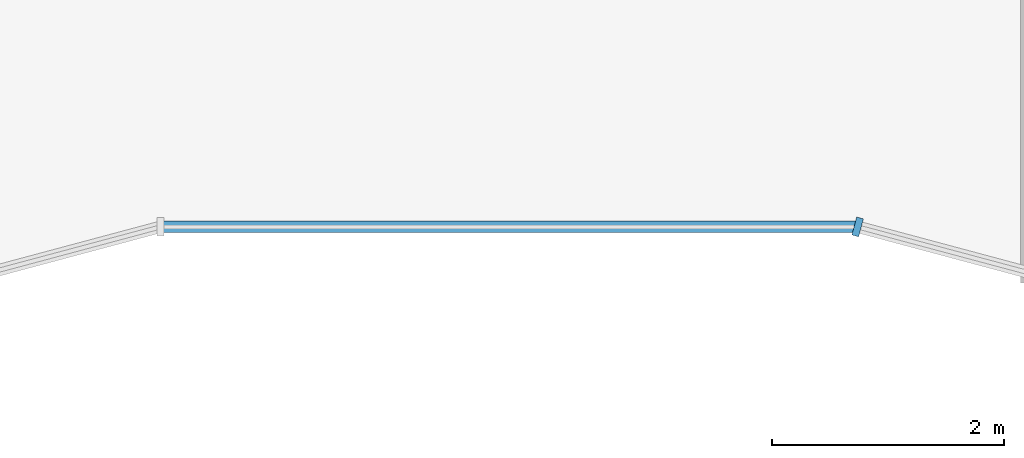
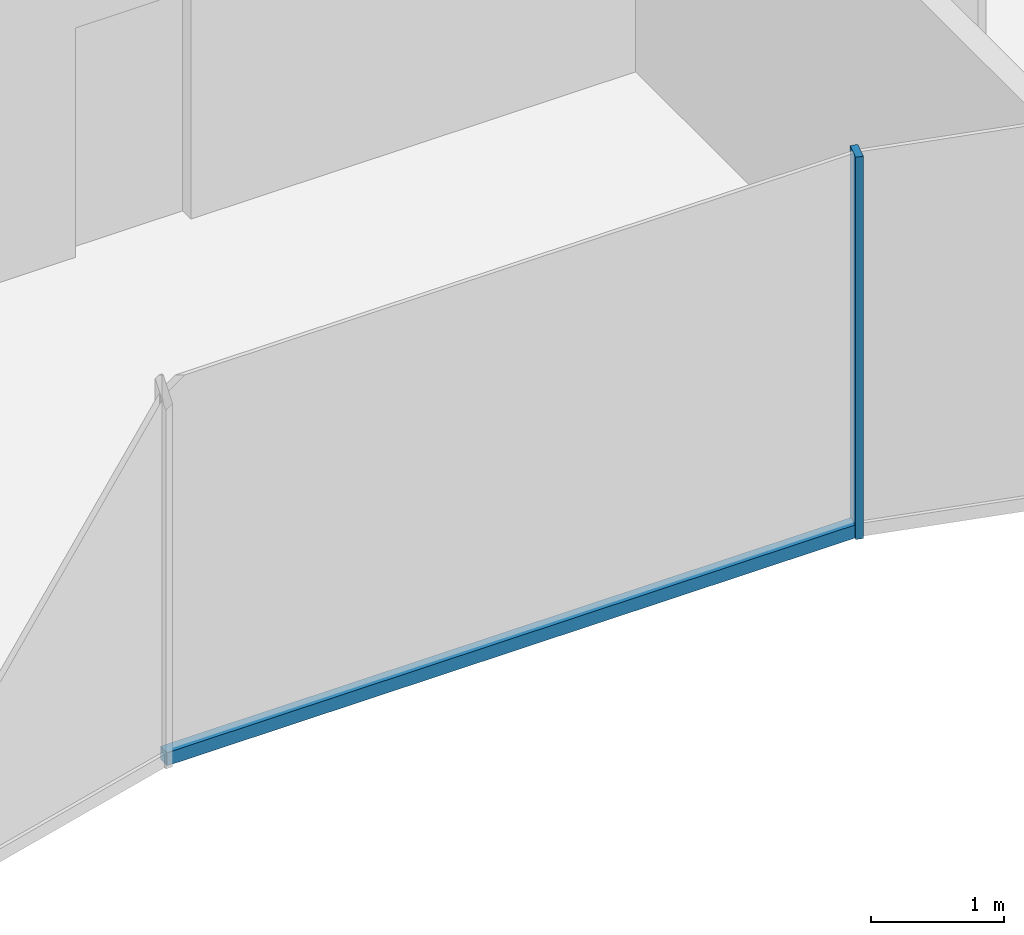
# One storey, part 3 of 15: 2 members, 2 elements without a shape of their own.
"""IFC4 building model written with IfcOpenShell, lengths in metres."""

from ifc_helpers import new_model, si_unit, direction, frame, origin, origin_2d, place, context, subcontext, project, spatial, rectangle, extrude, material, layer, layer_set, material_profile, profile_set, type_object, element, aggregate, save


model = new_model("IFC4")

# Units and contexts
model_context = context("Model", 3, precision=1e-05, world=origin(), true_north=direction((0.0, 1.0)))
body_context = subcontext(model_context, "Body", "Model", "MODEL_VIEW")
ifc_project = project(units=[si_unit("LENGTHUNIT", "METRE"), si_unit("AREAUNIT", "SQUARE_METRE"), si_unit("VOLUMEUNIT", "CUBIC_METRE"), si_unit("PLANEANGLEUNIT", "RADIAN"), si_unit("MASSUNIT", "GRAM", prefix="KILO")], contexts=[model_context])

# Site, building, storey
site_placement = place(None, origin())
site = spatial("IfcSite", under=ifc_project, at=site_placement, CompositionType="ELEMENT")
building_placement = place(site_placement, origin())
building = spatial("IfcBuilding", under=site, at=building_placement, Name="Plateau Cross Towers", CompositionType="ELEMENT")
storey_placement = place(building_placement, frame((0.0, 0.0, 177.89990234375)))
storey = spatial("IfcBuildingStorey", under=building, at=storey_placement, Name="L46", CompositionType="ELEMENT", Elevation=177.89990234375)

# Curtain wall, member
ifc_material_1 = material(Name="Dark low-iron glass", Category="glass")
ifc_layer = layer(ifc_material_1, 0.260009765625)
ifc_layer_set = layer_set([ifc_layer], Name="Dark low-iron glass")
curtain_wall_type = type_object("IfcCurtainWallType", Name="Curtain wall fluted unitised CW-A", PredefinedType="NOTDEFINED", material=ifc_layer_set)
curtain_wall_1_placement = place(storey_placement, origin())
curtain_wall_1 = element("IfcCurtainWall", 1, at=curtain_wall_1_placement, inside=storey, type_object=curtain_wall_type, Name="ENV/A/L46/A300_16", PredefinedType="NOTDEFINED")
ifc_material_2 = material(Name="Black anodised aluminium", Category="aluminium")
ifc_material_profile_1 = material_profile(ifc_material_2, rectangle(XDim=0.06005859375, YDim=0.159912109375, at=origin_2d()), Name="MULLION 60x160")
ifc_profile_set_1 = profile_set([ifc_material_profile_1], Name="Black anodised aluminium")
member_type_1 = type_object("IfcMemberType", Name="Mullion 60x160 fluted unitised", PredefinedType="MULLION", material=ifc_profile_set_1)
member_1_placement = place(storey_placement, frame((30.0, 1.60693359375, -0.25), z_axis=(0.0, 0.0, 1.0), x_axis=(0.965957983404, -0.258699003279, 0.0)))
member_1 = element("IfcMember", 2, at=member_1_placement, type_object=member_type_1, Name="CW-A mullion 1", PredefinedType="MULLION", context=body_context, shape_type="SweptSolid", body=[
    extrude(rectangle(XDim=0.06005859375, YDim=0.159912109375, at=origin_2d()), origin(), (0.0, 0.0, 1.0), 3.5),
])
aggregate(curtain_wall_1, [member_1])

curtain_wall_2_placement = place(storey_placement, origin())
curtain_wall_2 = element("IfcCurtainWall", 3, at=curtain_wall_2_placement, inside=storey, type_object=curtain_wall_type, Name="ENV/A/L46/A240_16", PredefinedType="NOTDEFINED")
ifc_material_profile_2 = material_profile(ifc_material_2, rectangle(XDim=0.10009765625, YDim=0.1201171875, at=origin_2d()), Name="TRANSOM 100x120")
ifc_profile_set_2 = profile_set([ifc_material_profile_2], Name="Black anodised aluminium")
member_type_2 = type_object("IfcMemberType", Name="Transom 100x120 fluted unitised", PredefinedType="USERDEFINED", material=ifc_profile_set_2)
member_2_placement = place(storey_placement, frame((24.0, 1.60693359375, -0.18994140625), z_axis=(1.0, 0.0, 0.0), x_axis=(0.0, 1.0, 0.0)))
member_2 = element("IfcMember", 4, at=member_2_placement, type_object=member_type_2, Name="CW-A transom", ObjectType="TRANSOM", PredefinedType="USERDEFINED", context=body_context, shape_type="SweptSolid", body=[
    extrude(rectangle(XDim=0.10009765625, YDim=0.1201171875, at=origin_2d()), origin(), (0.0, 0.0, 1.0), 6.0),
])
aggregate(curtain_wall_2, [member_2])

save(model, "model.ifc")
